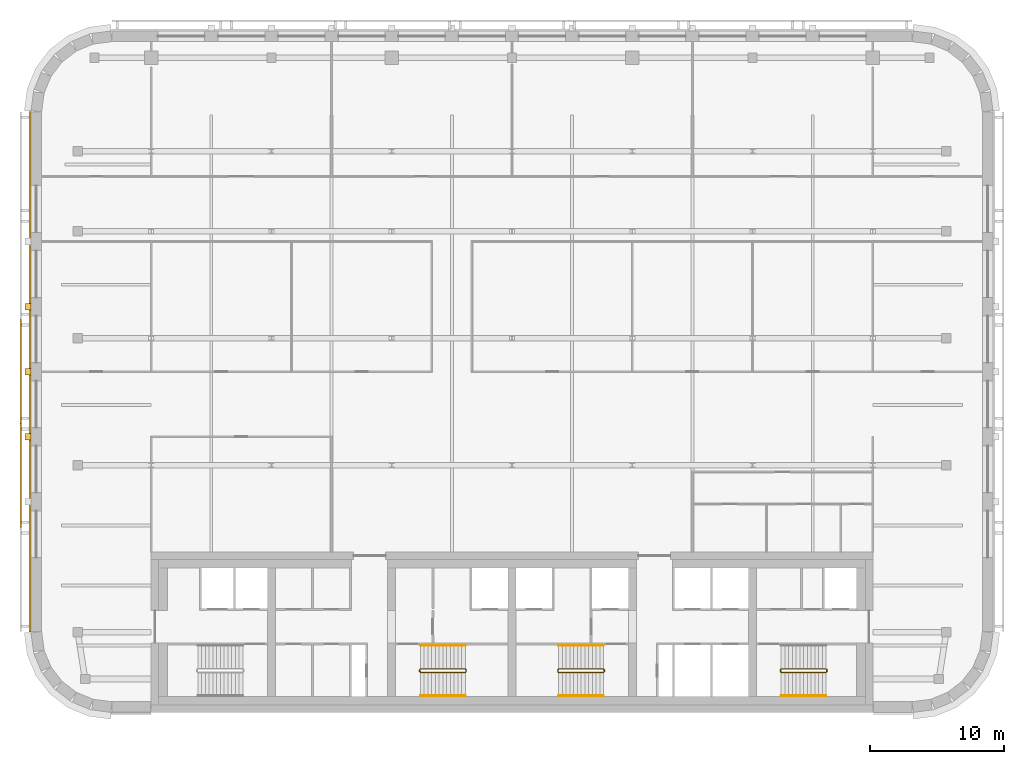
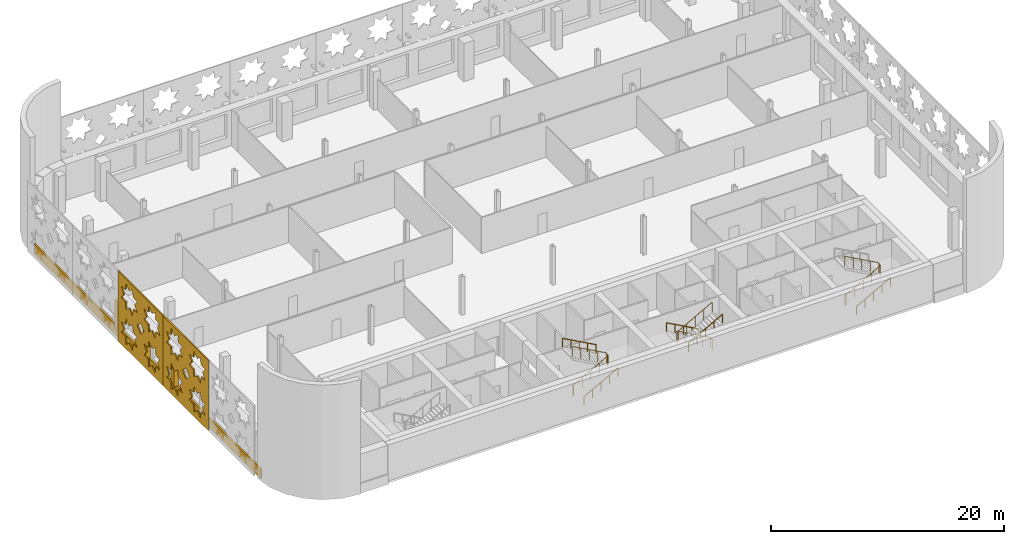
# One storey, part 13 of 16: 8 railings, 6 coverings.
"""IFC4 building model written with IfcOpenShell, lengths in metres."""

from ifc_helpers import new_model, si_unit, direction, frame, origin, origin_2d, place, context, subcontext, project, spatial, polyline, circle, outline, extrude, material, layer, layer_set, type_object, element, save


model = new_model("IFC4")

# Units and contexts
model_context = context("Model", 3, precision=1e-05, world=origin(), true_north=direction((0.0, 1.0)))
body_context = subcontext(model_context, "Body", "Model", "MODEL_VIEW")
ifc_project = project(units=[si_unit("LENGTHUNIT", "METRE"), si_unit("AREAUNIT", "SQUARE_METRE"), si_unit("VOLUMEUNIT", "CUBIC_METRE"), si_unit("PLANEANGLEUNIT", "RADIAN"), si_unit("MASSUNIT", "GRAM", prefix="KILO")], contexts=[model_context])

# Site, building, storey
site_placement = place(None, origin())
site = spatial("IfcSite", under=ifc_project, at=site_placement, CompositionType="ELEMENT")
building_placement = place(site_placement, origin())
building = spatial("IfcBuilding", under=site, at=building_placement, Name="Zellij Exchange Tower", CompositionType="ELEMENT")
storey_placement = place(building_placement, frame((0.0, 0.0, 272.5)))
storey = spatial("IfcBuildingStorey", under=building, at=storey_placement, Name="L64", CompositionType="ELEMENT", Elevation=272.5)

# Railings
ifc_material_1 = material(Name="Stainless steel", Category="steel")
railing_type_1 = type_object("IfcRailingType", Name="CORE-RG stair guard", PredefinedType="GUARDRAIL", material=ifc_material_1)
railing_1_placement = place(storey_placement, frame((-6.89990234375, -10.949951171875, 0.0)))
element("IfcRailing", 1, at=railing_1_placement, inside=storey, type_object=railing_type_1, Name="ST2 stair guard L64", PredefinedType="GUARDRAIL", context=body_context, shape_type="SweptSolid", body=[
    extrude(circle(Radius=0.02392578125, at=origin_2d()), frame((0.0, 0.0, 1.076171875), z_axis=(0.0, 1.0, 0.0), x_axis=(-1.0, 0.0, 0.0)), (0.0, 0.0, 1.0), 0.14990234375),
    extrude(circle(Radius=0.02392578125, at=origin_2d()), frame((0.0, 0.14990234375, 1.076171875), z_axis=(0.193691321961, -0.777613689637, 0.598164376644), x_axis=(0.970351222016, 0.241699205484, 0.0)), (0.0, 0.0, 1.0), 0.257080078125),
    extrude(circle(Radius=0.02392578125, at=origin_2d()), frame((0.0498046875, -0.050048828125, 1.22998046875), z_axis=(0.876421534553, 0.0, 0.481544695509), x_axis=(0.0, 1.0, 0.0)), (0.0, 0.0, 1.0), 3.833984375),
    extrude(circle(Radius=0.02392578125, at=origin_2d()), frame((3.409912109375, -0.050048828125, 3.076171875), z_axis=(0.707106781187, 0.707106781187, 0.0), x_axis=(-0.707106781187, 0.707106781187, 0.0)), (0.0, 0.0, 1.0), 0.07080078125),
    extrude(circle(Radius=0.02392578125, at=origin_2d()), frame((3.4599609375, 0.0, 3.076171875), z_axis=(0.0, 1.0, 0.0), x_axis=(-1.0, 0.0, 0.0)), (0.0, 0.0, 1.0), 0.14990234375),
    extrude(circle(Radius=0.02392578125, at=origin_2d()), frame((3.4599609375, 0.14990234375, 3.076171875), z_axis=(-0.295599637079, 0.295599637079, 0.908428152975), x_axis=(-0.707106781187, -0.707106781187, 0.0)), (0.0, 0.0, 1.0), 0.16943359375),
    extrude(circle(Radius=0.02392578125, at=origin_2d()), frame((3.409912109375, 0.199951171875, 3.22998046875), z_axis=(-0.876421534553, 0.0, 0.481544695509), x_axis=(0.0, -1.0, 0.0)), (0.0, 0.0, 1.0), 3.833984375),
    extrude(circle(Radius=0.02099609375, at=origin_2d()), origin(), (0.0, 0.0, 1.0), 1.052001953125),
    extrude(circle(Radius=0.02099609375, at=origin_2d()), frame((0.0, 0.14990234375, 0.0)), (0.0, 0.0, 1.0), 1.052001953125),
    extrude(circle(Radius=0.02099609375, at=origin_2d()), frame((0.0498046875, -0.050048828125, 0.15380859375)), (0.0, 0.0, 1.0), 1.052001953125),
    extrude(circle(Radius=0.02099609375, at=origin_2d()), frame((0.889892578125, -0.050048828125, 0.615234375)), (0.0, 0.0, 1.0), 1.052001953125),
    extrude(circle(Radius=0.02099609375, at=origin_2d()), frame((1.72998046875, -0.050048828125, 1.076904296875)), (0.0, 0.0, 1.0), 1.052001953125),
    extrude(circle(Radius=0.02099609375, at=origin_2d()), frame((2.56982421875, -0.050048828125, 1.53857421875)), (0.0, 0.0, 1.0), 1.052001953125),
    extrude(circle(Radius=0.02099609375, at=origin_2d()), frame((3.409912109375, -0.050048828125, 2.0)), (0.0, 0.0, 1.0), 1.052001953125),
    extrude(circle(Radius=0.02099609375, at=origin_2d()), frame((3.4599609375, 0.0, 2.0)), (0.0, 0.0, 1.0), 1.052001953125),
    extrude(circle(Radius=0.02099609375, at=origin_2d()), frame((3.4599609375, 0.14990234375, 2.0)), (0.0, 0.0, 1.0), 1.052001953125),
    extrude(circle(Radius=0.02099609375, at=origin_2d()), frame((3.409912109375, 0.199951171875, 2.15380859375)), (0.0, 0.0, 1.0), 1.052001953125),
    extrude(circle(Radius=0.02099609375, at=origin_2d()), frame((2.56982421875, 0.199951171875, 2.615234375)), (0.0, 0.0, 1.0), 1.052001953125),
    extrude(circle(Radius=0.02099609375, at=origin_2d()), frame((1.72998046875, 0.199951171875, 3.076904296875)), (0.0, 0.0, 1.0), 1.052001953125),
    extrude(circle(Radius=0.02099609375, at=origin_2d()), frame((0.889892578125, 0.199951171875, 3.53857421875)), (0.0, 0.0, 1.0), 1.052001953125),
    extrude(circle(Radius=0.02099609375, at=origin_2d()), frame((0.0498046875, 0.199951171875, 4.0)), (0.0, 0.0, 1.0), 1.052001953125),
])
railing_2_placement = place(storey_placement, frame((6.89990234375, -10.800048828125, 0.0)))
element("IfcRailing", 2, at=railing_2_placement, inside=storey, type_object=railing_type_1, Name="ST3 stair guard L64", PredefinedType="GUARDRAIL", context=body_context, shape_type="SweptSolid", body=[
    extrude(circle(Radius=0.02392578125, at=origin_2d()), frame((0.0, 0.0, 1.076171875), z_axis=(0.0, -1.0, 0.0), x_axis=(1.0, 0.0, 0.0)), (0.0, 0.0, 1.0), 0.14990234375),
    extrude(circle(Radius=0.02392578125, at=origin_2d()), frame((0.0, -0.14990234375, 1.076171875), z_axis=(-0.193691321961, 0.777613689637, 0.598164376644), x_axis=(-0.970351222016, -0.241699205484, 0.0)), (0.0, 0.0, 1.0), 0.257080078125),
    extrude(circle(Radius=0.02392578125, at=origin_2d()), frame((-0.0498046875, 0.050048828125, 1.22998046875), z_axis=(-0.876421534553, 0.0, 0.481544695509), x_axis=(0.0, -1.0, 0.0)), (0.0, 0.0, 1.0), 3.833984375),
    extrude(circle(Radius=0.02392578125, at=origin_2d()), frame((-3.409912109375, 0.050048828125, 3.076171875), z_axis=(-0.707106781187, -0.707106781187, 0.0), x_axis=(0.707106781187, -0.707106781187, 0.0)), (0.0, 0.0, 1.0), 0.07080078125),
    extrude(circle(Radius=0.02392578125, at=origin_2d()), frame((-3.4599609375, 0.0, 3.076171875), z_axis=(0.0, -1.0, 0.0), x_axis=(1.0, 0.0, 0.0)), (0.0, 0.0, 1.0), 0.14990234375),
    extrude(circle(Radius=0.02392578125, at=origin_2d()), frame((-3.4599609375, -0.14990234375, 3.076171875), z_axis=(0.295599637079, -0.295599637079, 0.908428152975), x_axis=(0.707106781187, 0.707106781187, 0.0)), (0.0, 0.0, 1.0), 0.16943359375),
    extrude(circle(Radius=0.02392578125, at=origin_2d()), frame((-3.409912109375, -0.199951171875, 3.22998046875), z_axis=(0.876421534553, 0.0, 0.481544695509), x_axis=(0.0, 1.0, 0.0)), (0.0, 0.0, 1.0), 3.833984375),
    extrude(circle(Radius=0.02099609375, at=origin_2d()), origin(), (0.0, 0.0, 1.0), 1.052001953125),
    extrude(circle(Radius=0.02099609375, at=origin_2d()), frame((0.0, -0.14990234375, 0.0)), (0.0, 0.0, 1.0), 1.052001953125),
    extrude(circle(Radius=0.02099609375, at=origin_2d()), frame((-0.0498046875, 0.050048828125, 0.15380859375)), (0.0, 0.0, 1.0), 1.052001953125),
    extrude(circle(Radius=0.02099609375, at=origin_2d()), frame((-0.889892578125, 0.050048828125, 0.615234375)), (0.0, 0.0, 1.0), 1.052001953125),
    extrude(circle(Radius=0.02099609375, at=origin_2d()), frame((-1.72998046875, 0.050048828125, 1.076904296875)), (0.0, 0.0, 1.0), 1.052001953125),
    extrude(circle(Radius=0.02099609375, at=origin_2d()), frame((-2.56982421875, 0.050048828125, 1.53857421875)), (0.0, 0.0, 1.0), 1.052001953125),
    extrude(circle(Radius=0.02099609375, at=origin_2d()), frame((-3.409912109375, 0.050048828125, 2.0)), (0.0, 0.0, 1.0), 1.052001953125),
    extrude(circle(Radius=0.02099609375, at=origin_2d()), frame((-3.4599609375, 0.0, 2.0)), (0.0, 0.0, 1.0), 1.052001953125),
    extrude(circle(Radius=0.02099609375, at=origin_2d()), frame((-3.4599609375, -0.14990234375, 2.0)), (0.0, 0.0, 1.0), 1.052001953125),
    extrude(circle(Radius=0.02099609375, at=origin_2d()), frame((-3.409912109375, -0.199951171875, 2.15380859375)), (0.0, 0.0, 1.0), 1.052001953125),
    extrude(circle(Radius=0.02099609375, at=origin_2d()), frame((-2.56982421875, -0.199951171875, 2.615234375)), (0.0, 0.0, 1.0), 1.052001953125),
    extrude(circle(Radius=0.02099609375, at=origin_2d()), frame((-1.72998046875, -0.199951171875, 3.076904296875)), (0.0, 0.0, 1.0), 1.052001953125),
    extrude(circle(Radius=0.02099609375, at=origin_2d()), frame((-0.889892578125, -0.199951171875, 3.53857421875)), (0.0, 0.0, 1.0), 1.052001953125),
    extrude(circle(Radius=0.02099609375, at=origin_2d()), frame((-0.0498046875, -0.199951171875, 4.0)), (0.0, 0.0, 1.0), 1.052001953125),
])
railing_3_placement = place(storey_placement, frame((20.10009765625, -10.949951171875, 0.0)))
element("IfcRailing", 3, at=railing_3_placement, inside=storey, type_object=railing_type_1, Name="ST4 stair guard L64", PredefinedType="GUARDRAIL", context=body_context, shape_type="SweptSolid", body=[
    extrude(circle(Radius=0.02392578125, at=origin_2d()), frame((0.0, 0.0, 1.076171875), z_axis=(0.0, 1.0, 0.0), x_axis=(-1.0, 0.0, 0.0)), (0.0, 0.0, 1.0), 0.14990234375),
    extrude(circle(Radius=0.02392578125, at=origin_2d()), frame((0.0, 0.14990234375, 1.076171875), z_axis=(0.193691321961, -0.777613689637, 0.598164376644), x_axis=(0.970351222016, 0.241699205484, 0.0)), (0.0, 0.0, 1.0), 0.257080078125),
    extrude(circle(Radius=0.02392578125, at=origin_2d()), frame((0.0498046875, -0.050048828125, 1.22998046875), z_axis=(0.876421534553, 0.0, 0.481544695509), x_axis=(0.0, 1.0, 0.0)), (0.0, 0.0, 1.0), 3.833984375),
    extrude(circle(Radius=0.02392578125, at=origin_2d()), frame((3.409912109375, -0.050048828125, 3.076171875), z_axis=(0.707106781187, 0.707106781187, 0.0), x_axis=(-0.707106781187, 0.707106781187, 0.0)), (0.0, 0.0, 1.0), 0.07080078125),
    extrude(circle(Radius=0.02392578125, at=origin_2d()), frame((3.4599609375, 0.0, 3.076171875), z_axis=(0.0, 1.0, 0.0), x_axis=(-1.0, 0.0, 0.0)), (0.0, 0.0, 1.0), 0.14990234375),
    extrude(circle(Radius=0.02392578125, at=origin_2d()), frame((3.4599609375, 0.14990234375, 3.076171875), z_axis=(-0.295599637079, 0.295599637079, 0.908428152975), x_axis=(-0.707106781187, -0.707106781187, 0.0)), (0.0, 0.0, 1.0), 0.16943359375),
    extrude(circle(Radius=0.02392578125, at=origin_2d()), frame((3.409912109375, 0.199951171875, 3.22998046875), z_axis=(-0.876421534553, 0.0, 0.481544695509), x_axis=(0.0, -1.0, 0.0)), (0.0, 0.0, 1.0), 3.833984375),
    extrude(circle(Radius=0.02099609375, at=origin_2d()), origin(), (0.0, 0.0, 1.0), 1.052001953125),
    extrude(circle(Radius=0.02099609375, at=origin_2d()), frame((0.0, 0.14990234375, 0.0)), (0.0, 0.0, 1.0), 1.052001953125),
    extrude(circle(Radius=0.02099609375, at=origin_2d()), frame((0.0498046875, -0.050048828125, 0.15380859375)), (0.0, 0.0, 1.0), 1.052001953125),
    extrude(circle(Radius=0.02099609375, at=origin_2d()), frame((0.889892578125, -0.050048828125, 0.615234375)), (0.0, 0.0, 1.0), 1.052001953125),
    extrude(circle(Radius=0.02099609375, at=origin_2d()), frame((1.72998046875, -0.050048828125, 1.076904296875)), (0.0, 0.0, 1.0), 1.052001953125),
    extrude(circle(Radius=0.02099609375, at=origin_2d()), frame((2.56982421875, -0.050048828125, 1.53857421875)), (0.0, 0.0, 1.0), 1.052001953125),
    extrude(circle(Radius=0.02099609375, at=origin_2d()), frame((3.409912109375, -0.050048828125, 2.0)), (0.0, 0.0, 1.0), 1.052001953125),
    extrude(circle(Radius=0.02099609375, at=origin_2d()), frame((3.4599609375, 0.0, 2.0)), (0.0, 0.0, 1.0), 1.052001953125),
    extrude(circle(Radius=0.02099609375, at=origin_2d()), frame((3.4599609375, 0.14990234375, 2.0)), (0.0, 0.0, 1.0), 1.052001953125),
    extrude(circle(Radius=0.02099609375, at=origin_2d()), frame((3.409912109375, 0.199951171875, 2.15380859375)), (0.0, 0.0, 1.0), 1.052001953125),
    extrude(circle(Radius=0.02099609375, at=origin_2d()), frame((2.56982421875, 0.199951171875, 2.615234375)), (0.0, 0.0, 1.0), 1.052001953125),
    extrude(circle(Radius=0.02099609375, at=origin_2d()), frame((1.72998046875, 0.199951171875, 3.076904296875)), (0.0, 0.0, 1.0), 1.052001953125),
    extrude(circle(Radius=0.02099609375, at=origin_2d()), frame((0.889892578125, 0.199951171875, 3.53857421875)), (0.0, 0.0, 1.0), 1.052001953125),
    extrude(circle(Radius=0.02099609375, at=origin_2d()), frame((0.0498046875, 0.199951171875, 4.0)), (0.0, 0.0, 1.0), 1.052001953125),
])
railing_type_2 = type_object("IfcRailingType", Name="CORE-RH stair handrail", PredefinedType="HANDRAIL", material=ifc_material_1)
railing_4_placement = place(storey_placement, frame((-6.85009765625, -12.75, 0.15380859375)))
element("IfcRailing", 4, at=railing_4_placement, inside=storey, type_object=railing_type_2, Name="ST2 stair handrail L64", PredefinedType="HANDRAIL", context=body_context, shape_type="SweptSolid", body=[
    extrude(circle(Radius=0.02392578125, at=origin_2d()), frame((0.0, 0.0, 0.8759765625), z_axis=(0.876421534553, 0.0, 0.481544695509), x_axis=(0.0, 1.0, 0.0)), (0.0, 0.0, 1.0), 3.833984375),
    extrude(circle(Radius=0.02099609375, at=origin_2d()), origin(), (0.0, 0.0, 1.0), 0.851806640625),
    extrude(circle(Radius=0.02099609375, at=origin_2d()), frame((0.840087890625, 0.0, 0.46142578125)), (0.0, 0.0, 1.0), 0.851806640625),
    extrude(circle(Radius=0.02099609375, at=origin_2d()), frame((1.68017578125, 0.0, 0.923095703125)), (0.0, 0.0, 1.0), 0.851806640625),
    extrude(circle(Radius=0.02099609375, at=origin_2d()), frame((2.52001953125, 0.0, 1.384765625)), (0.0, 0.0, 1.0), 0.851806640625),
    extrude(circle(Radius=0.02099609375, at=origin_2d()), frame((3.360107421875, 0.0, 1.84619140625)), (0.0, 0.0, 1.0), 0.851806640625),
])
for number, where, name in (
    (5, (-3.489990234375, -9.0, 2.15380859375), "ST2 stair handrail L64"),
    (6, (6.85009765625, -9.0, 0.15380859375), "ST3 stair handrail L64"),
):
    element("IfcRailing", number, at=place(storey_placement, frame(where)), inside=storey, type_object=railing_type_2, Name=name, PredefinedType="HANDRAIL", context=body_context, shape_type="SweptSolid", body=[
        extrude(circle(Radius=0.02392578125, at=origin_2d()), frame((0.0, 0.0, 0.8759765625), z_axis=(-0.876421534553, 0.0, 0.481544695509), x_axis=(0.0, -1.0, 0.0)), (0.0, 0.0, 1.0), 3.833984375),
        extrude(circle(Radius=0.02099609375, at=origin_2d()), origin(), (0.0, 0.0, 1.0), 0.851806640625),
        extrude(circle(Radius=0.02099609375, at=origin_2d()), frame((-0.840087890625, 0.0, 0.46142578125)), (0.0, 0.0, 1.0), 0.851806640625),
        extrude(circle(Radius=0.02099609375, at=origin_2d()), frame((-1.68017578125, 0.0, 0.923095703125)), (0.0, 0.0, 1.0), 0.851806640625),
        extrude(circle(Radius=0.02099609375, at=origin_2d()), frame((-2.52001953125, 0.0, 1.384765625)), (0.0, 0.0, 1.0), 0.851806640625),
        extrude(circle(Radius=0.02099609375, at=origin_2d()), frame((-3.360107421875, 0.0, 1.84619140625)), (0.0, 0.0, 1.0), 0.851806640625),
    ])
for number, where, name in (
    (7, (3.489990234375, -12.75, 2.15380859375), "ST3 stair handrail L64"),
    (8, (20.14990234375, -12.75, 0.15380859375), "ST4 stair handrail L64"),
):
    element("IfcRailing", number, at=place(storey_placement, frame(where)), inside=storey, type_object=railing_type_2, Name=name, PredefinedType="HANDRAIL", context=body_context, shape_type="SweptSolid", body=[
        extrude(circle(Radius=0.02392578125, at=origin_2d()), frame((0.0, 0.0, 0.8759765625), z_axis=(0.876421534553, 0.0, 0.481544695509), x_axis=(0.0, 1.0, 0.0)), (0.0, 0.0, 1.0), 3.833984375),
        extrude(circle(Radius=0.02099609375, at=origin_2d()), origin(), (0.0, 0.0, 1.0), 0.851806640625),
        extrude(circle(Radius=0.02099609375, at=origin_2d()), frame((0.840087890625, 0.0, 0.46142578125)), (0.0, 0.0, 1.0), 0.851806640625),
        extrude(circle(Radius=0.02099609375, at=origin_2d()), frame((1.68017578125, 0.0, 0.923095703125)), (0.0, 0.0, 1.0), 0.851806640625),
        extrude(circle(Radius=0.02099609375, at=origin_2d()), frame((2.52001953125, 0.0, 1.384765625)), (0.0, 0.0, 1.0), 0.851806640625),
        extrude(circle(Radius=0.02099609375, at=origin_2d()), frame((3.360107421875, 0.0, 1.84619140625)), (0.0, 0.0, 1.0), 0.851806640625),
    ])

# Coverings
ifc_material_2 = material(Name="Limestone cladding", Category="masonry")
ifc_layer_1 = layer(ifc_material_2, 0.14990234375)
ifc_layer_set_1 = layer_set([ifc_layer_1], Name="Limestone cladding")
covering_type_1 = type_object("IfcCoveringType", Name="ENV-CV1 Stone spandrel band 150", PredefinedType="CLADDING", material=ifc_layer_set_1)
covering_1_placement = place(storey_placement, frame((0.0, 0.0, -0.219970703125)))
element("IfcCovering", 9, at=covering_1_placement, inside=storey, type_object=covering_type_1, Name="Stone spandrel band", PredefinedType="CLADDING", context=body_context, shape_type="SweptSolid", body=[
    extrude(outline(polyline([(-36.0, 30.973876953125), (-36.0, -7.973876953125), (-36.14990234375, -7.983642578125), (-36.14990234375, 30.983642578125), (-36.0, 30.973876953125)])), origin(), (0.0, 0.0, 1.0), 1.02001953125),
])
covering_type_2 = type_object("IfcCoveringType", Name="ENV-CV4 Stone pier 500x450", PredefinedType="CLADDING", material=ifc_material_2)
covering_2_placement = place(storey_placement, frame((0.0, 0.0, 0.800048828125)))
element("IfcCovering", 10, at=covering_2_placement, inside=storey, type_object=covering_type_2, Name="Stone pier", PredefinedType="CLADDING", context=body_context, shape_type="SweptSolid", body=[
    extrude(outline(polyline([(-36.0, 16.618408203125), (-36.0, 16.118408203125), (-36.449951171875, 16.118408203125), (-36.449951171875, 16.618408203125), (-36.0, 16.618408203125)])), origin(), (0.0, 0.0, 1.0), 2.97998046875),
])
covering_3_placement = place(storey_placement, frame((0.0, 0.0, 0.800048828125)))
element("IfcCovering", 11, at=covering_3_placement, inside=storey, type_object=covering_type_2, Name="Stone pier", PredefinedType="CLADDING", context=body_context, shape_type="SweptSolid", body=[
    extrude(outline(polyline([(-36.0, 11.75), (-36.0, 11.25), (-36.449951171875, 11.25), (-36.449951171875, 11.75), (-36.0, 11.75)])), origin(), (0.0, 0.0, 1.0), 2.97998046875),
])
covering_4_placement = place(storey_placement, frame((0.0, 0.0, 0.800048828125)))
element("IfcCovering", 12, at=covering_4_placement, inside=storey, type_object=covering_type_2, Name="Stone pier", PredefinedType="CLADDING", context=body_context, shape_type="SweptSolid", body=[
    extrude(outline(polyline([(-36.0, 6.881591796875), (-36.0, 6.381591796875), (-36.449951171875, 6.381591796875), (-36.449951171875, 6.881591796875), (-36.0, 6.881591796875)])), origin(), (0.0, 0.0, 1.0), 2.97998046875),
])
ifc_material_3 = material(Name="Limestone screen", Category="masonry")
ifc_layer_2 = layer(ifc_material_3, 0.1201171875)
ifc_layer_set_2 = layer_set([ifc_layer_2], Name="Limestone screen")
covering_type_3 = type_object("IfcCoveringType", Name="ENV-SC1 Pierced stone screen 120", PredefinedType="USERDEFINED", material=ifc_layer_set_2)
covering_5_placement = place(storey_placement, frame((-36.760009765625, 15.389404296875, 0.300048828125), z_axis=(0.0, 0.0, 1.0), x_axis=(0.0, -1.0, 0.0)))
element("IfcCovering", 13, at=covering_5_placement, inside=storey, type_object=covering_type_3, Name="Pierced stone screen", ObjectType="SCREEN", PredefinedType="USERDEFINED", context=body_context, shape_type="SweptSolid", body=[
    extrude(outline(polyline([(0.0, 0.0), (7.779052734375, 0.0), (7.779052734375, 7.35009765625), (0.0, 7.35009765625), (0.0, 0.0)]), holes=[polyline([(3.302978515625, 2.39990234375), (2.589111328125, 2.48193359375), (2.50732421875, 3.195556640625), (1.94482421875, 2.748779296875), (1.382080078125, 3.195556640625), (1.30029296875, 2.48193359375), (0.586669921875, 2.39990234375), (1.033447265625, 1.83740234375), (0.586669921875, 1.27490234375), (1.30029296875, 1.193115234375), (1.382080078125, 0.4794921875), (1.94482421875, 0.926025390625), (2.50732421875, 0.4794921875), (2.589111328125, 1.193115234375), (3.302978515625, 1.27490234375), (2.856201171875, 1.83740234375), (3.302978515625, 2.39990234375)]), polyline([(3.302978515625, 6.074951171875), (2.589111328125, 6.156982421875), (2.50732421875, 6.87060546875), (1.94482421875, 6.423828125), (1.382080078125, 6.87060546875), (1.30029296875, 6.156982421875), (0.586669921875, 6.074951171875), (1.033447265625, 5.512451171875), (0.586669921875, 4.949951171875), (1.30029296875, 4.867919921875), (1.382080078125, 4.154296875), (1.94482421875, 4.60107421875), (2.50732421875, 4.154296875), (2.589111328125, 4.867919921875), (3.302978515625, 4.949951171875), (2.856201171875, 5.512451171875), (3.302978515625, 6.074951171875)]), polyline([(7.1923828125, 2.39990234375), (6.478759765625, 2.48193359375), (6.396728515625, 3.195556640625), (5.834228515625, 2.748779296875), (5.271728515625, 3.195556640625), (5.189697265625, 2.48193359375), (4.476318359375, 2.39990234375), (4.9228515625, 1.83740234375), (4.476318359375, 1.27490234375), (5.189697265625, 1.193115234375), (5.271728515625, 0.4794921875), (5.834228515625, 0.926025390625), (6.396728515625, 0.4794921875), (6.478759765625, 1.193115234375), (7.1923828125, 1.27490234375), (6.74560546875, 1.83740234375), (7.1923828125, 2.39990234375)]), polyline([(7.1923828125, 6.074951171875), (6.478759765625, 6.156982421875), (6.396728515625, 6.87060546875), (5.834228515625, 6.423828125), (5.271728515625, 6.87060546875), (5.189697265625, 6.156982421875), (4.476318359375, 6.074951171875), (4.9228515625, 5.512451171875), (4.476318359375, 4.949951171875), (5.189697265625, 4.867919921875), (5.271728515625, 4.154296875), (5.834228515625, 4.60107421875), (6.396728515625, 4.154296875), (6.478759765625, 4.867919921875), (7.1923828125, 4.949951171875), (6.74560546875, 5.512451171875), (7.1923828125, 6.074951171875)]), polyline([(4.4775390625, 3.675048828125), (3.889404296875, 4.262939453125), (3.301513671875, 3.675048828125), (3.889404296875, 3.0869140625), (4.4775390625, 3.675048828125)])]), frame((0.0, 0.06005859375, 0.0), z_axis=(0.0, -1.0, 0.0), x_axis=(1.0, 0.0, 0.0)), (0.0, 0.0, 1.0), 0.1201171875),
])
covering_6_placement = place(storey_placement, frame((-36.760009765625, 7.610595703125, 0.300048828125), z_axis=(0.0, 0.0, 1.0), x_axis=(0.0, -1.0, 0.0)))
element("IfcCovering", 14, at=covering_6_placement, inside=storey, type_object=covering_type_3, Name="Pierced stone screen", ObjectType="SCREEN", PredefinedType="USERDEFINED", context=body_context, shape_type="SweptSolid", body=[
    extrude(outline(polyline([(0.0, 0.0), (7.779052734375, 0.0), (7.779052734375, 7.35009765625), (0.0, 7.35009765625), (0.0, 0.0)]), holes=[polyline([(3.302978515625, 2.39990234375), (2.589111328125, 2.48193359375), (2.50732421875, 3.195556640625), (1.94482421875, 2.748779296875), (1.382080078125, 3.195556640625), (1.30029296875, 2.48193359375), (0.586669921875, 2.39990234375), (1.033447265625, 1.83740234375), (0.586669921875, 1.27490234375), (1.30029296875, 1.193115234375), (1.382080078125, 0.4794921875), (1.94482421875, 0.926025390625), (2.50732421875, 0.4794921875), (2.589111328125, 1.193115234375), (3.302978515625, 1.27490234375), (2.856201171875, 1.83740234375), (3.302978515625, 2.39990234375)]), polyline([(3.302978515625, 6.074951171875), (2.589111328125, 6.156982421875), (2.50732421875, 6.87060546875), (1.94482421875, 6.423828125), (1.382080078125, 6.87060546875), (1.30029296875, 6.156982421875), (0.586669921875, 6.074951171875), (1.033447265625, 5.512451171875), (0.586669921875, 4.949951171875), (1.30029296875, 4.867919921875), (1.382080078125, 4.154296875), (1.94482421875, 4.60107421875), (2.50732421875, 4.154296875), (2.589111328125, 4.867919921875), (3.302978515625, 4.949951171875), (2.856201171875, 5.512451171875), (3.302978515625, 6.074951171875)]), polyline([(7.1923828125, 2.39990234375), (6.478759765625, 2.48193359375), (6.396728515625, 3.195556640625), (5.834228515625, 2.748779296875), (5.271728515625, 3.195556640625), (5.189697265625, 2.48193359375), (4.476318359375, 2.39990234375), (4.9228515625, 1.83740234375), (4.476318359375, 1.27490234375), (5.189697265625, 1.193115234375), (5.271728515625, 0.4794921875), (5.834228515625, 0.926025390625), (6.396728515625, 0.4794921875), (6.478759765625, 1.193115234375), (7.1923828125, 1.27490234375), (6.74560546875, 1.83740234375), (7.1923828125, 2.39990234375)]), polyline([(7.1923828125, 6.074951171875), (6.478759765625, 6.156982421875), (6.396728515625, 6.87060546875), (5.834228515625, 6.423828125), (5.271728515625, 6.87060546875), (5.189697265625, 6.156982421875), (4.476318359375, 6.074951171875), (4.9228515625, 5.512451171875), (4.476318359375, 4.949951171875), (5.189697265625, 4.867919921875), (5.271728515625, 4.154296875), (5.834228515625, 4.60107421875), (6.396728515625, 4.154296875), (6.478759765625, 4.867919921875), (7.1923828125, 4.949951171875), (6.74560546875, 5.512451171875), (7.1923828125, 6.074951171875)]), polyline([(4.4775390625, 3.675048828125), (3.889404296875, 4.262939453125), (3.301513671875, 3.675048828125), (3.889404296875, 3.0869140625), (4.4775390625, 3.675048828125)])]), frame((0.0, 0.06005859375, 0.0), z_axis=(0.0, -1.0, 0.0), x_axis=(1.0, 0.0, 0.0)), (0.0, 0.0, 1.0), 0.1201171875),
])

save(model, "model.ifc")
